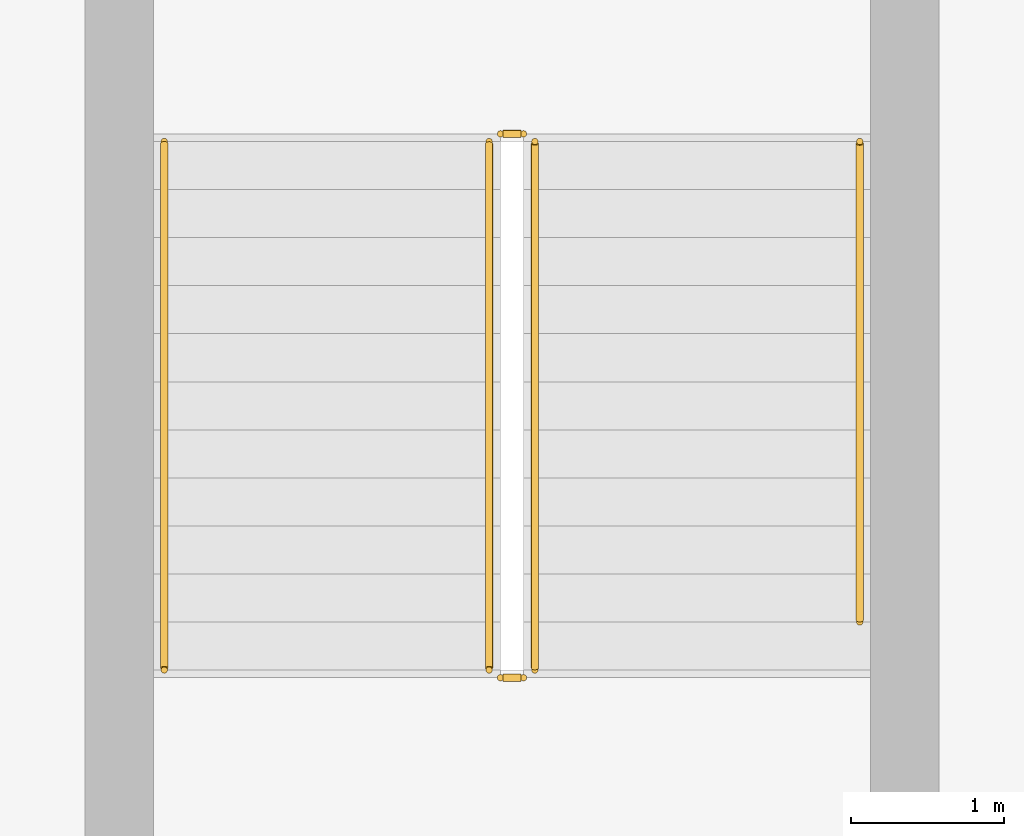
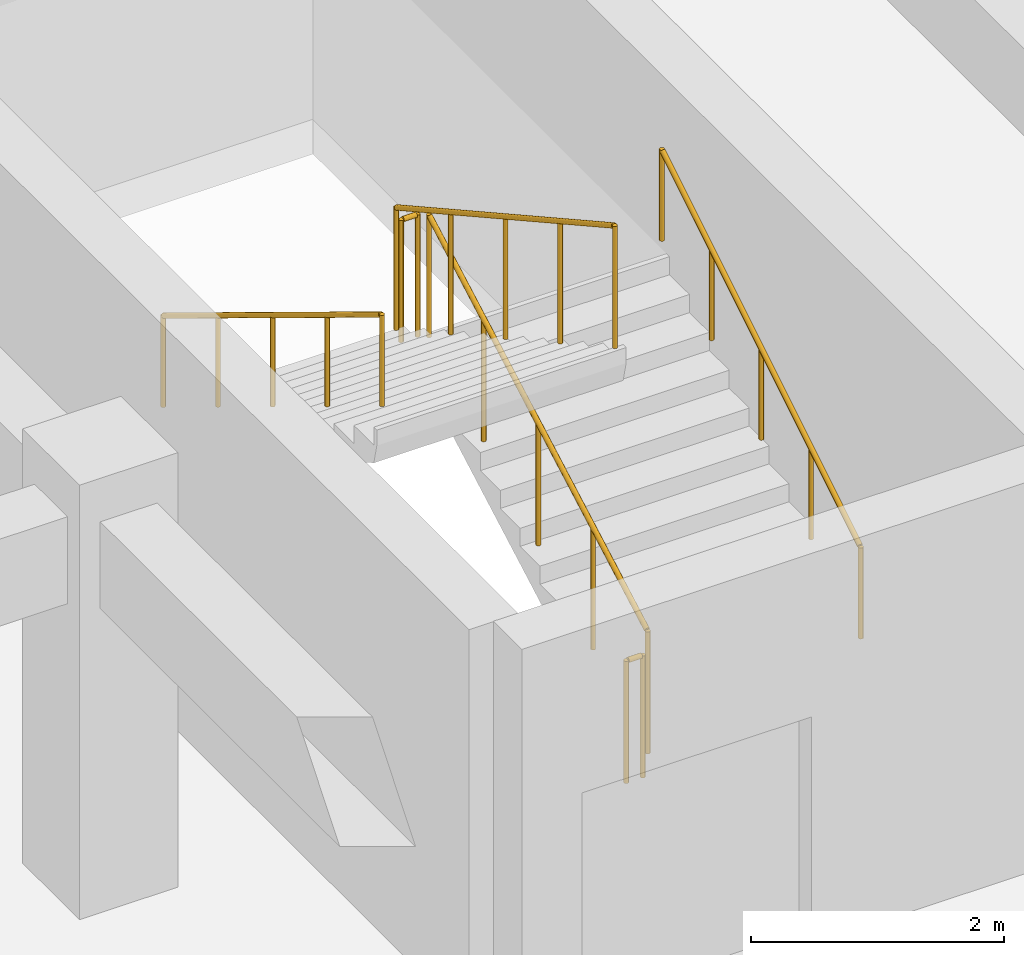
# One storey, part 31 of 39: 6 railings.
"""IFC4 building model written with IfcOpenShell, lengths in metres."""

from ifc_helpers import new_model, si_unit, direction, frame, origin, origin_2d, place, context, subcontext, project, spatial, circle, extrude, material, type_object, element, save


model = new_model("IFC4")

# Units and contexts
model_context = context("Model", 3, precision=1e-05, world=origin(), true_north=direction((0.0, 1.0)))
body_context = subcontext(model_context, "Body", "Model", "MODEL_VIEW")
ifc_project = project(units=[si_unit("LENGTHUNIT", "METRE"), si_unit("AREAUNIT", "SQUARE_METRE"), si_unit("VOLUMEUNIT", "CUBIC_METRE"), si_unit("PLANEANGLEUNIT", "RADIAN"), si_unit("MASSUNIT", "GRAM", prefix="KILO")], contexts=[model_context])

# Site, building, storey
site_placement = place(None, origin())
site = spatial("IfcSite", under=ifc_project, at=site_placement, CompositionType="ELEMENT")
building_placement = place(site_placement, origin())
building = spatial("IfcBuilding", under=site, at=building_placement, Name="Nakhvara Creek Congress Hotel", CompositionType="ELEMENT")
storey_placement = place(building_placement, frame((0.0, 0.0, -4.199951171875)))
storey = spatial("IfcBuildingStorey", under=building, at=storey_placement, Name="B1", CompositionType="ELEMENT", Elevation=-4.199951171875)

# Railings
ifc_material = material(Name="Brushed stainless steel 316L", Category="steel")
railing_type_1 = type_object("IfcRailingType", Name="RL-GUARD-1200", PredefinedType="GUARDRAIL", material=ifc_material)
railing_1_placement = place(storey_placement, frame((119.675048828125, 85.47998046875, 0.175048828125)))
element("IfcRailing", 1, at=railing_1_placement, inside=storey, type_object=railing_type_1, Name="B1 ST09 stair guard 1", PredefinedType="GUARDRAIL", context=body_context, shape_type="SweptSolid", body=[
    extrude(circle(Radius=0.02392578125, at=origin_2d()), frame((0.0, 0.012939453125, 1.18310546875), z_axis=(0.0, 0.874183422646, 0.48559586445), x_axis=(-1.0, 0.0, 0.0)), (0.0, 0.0, 1.0), 3.934326171875),
    extrude(circle(Radius=0.02099609375, at=origin_2d()), origin(), (0.0, 0.0, 1.0), 1.1806640625),
    extrude(circle(Radius=0.02099609375, at=origin_2d()), frame((0.0, 0.8662109375, 0.481201171875)), (0.0, 0.0, 1.0), 1.1806640625),
    extrude(circle(Radius=0.02099609375, at=origin_2d()), frame((0.0, 1.732421875, 0.96240234375)), (0.0, 0.0, 1.0), 1.1806640625),
    extrude(circle(Radius=0.02099609375, at=origin_2d()), frame((0.0, 2.598876953125, 1.443603515625)), (0.0, 0.0, 1.0), 1.1806640625),
    extrude(circle(Radius=0.02099609375, at=origin_2d()), frame((0.0, 3.465087890625, 1.9248046875)), (0.0, 0.0, 1.0), 1.1806640625),
])
railing_2_placement = place(storey_placement, frame((119.60009765625, 88.9951171875, 2.099853515625)))
element("IfcRailing", 2, at=railing_2_placement, inside=storey, type_object=railing_type_1, Name="B1 ST09 stair guard 2", PredefinedType="GUARDRAIL", context=body_context, shape_type="SweptSolid", body=[
    extrude(circle(Radius=0.02392578125, at=origin_2d()), frame((-0.0146484375, 0.0, 1.17578125), z_axis=(-1.0, 0.0, 0.0), x_axis=(0.0, -1.0, 0.0)), (0.0, 0.0, 1.0), 0.120849609375),
    extrude(circle(Radius=0.02099609375, at=origin_2d()), origin(), (0.0, 0.0, 1.0), 1.1806640625),
    extrude(circle(Radius=0.02099609375, at=origin_2d()), frame((-0.150146484375, 0.0, 0.0)), (0.0, 0.0, 1.0), 1.1806640625),
])
railing_3_placement = place(storey_placement, frame((119.375, 88.945068359375, 2.27490234375)))
element("IfcRailing", 3, at=railing_3_placement, inside=storey, type_object=railing_type_1, Name="B1 ST09 stair guard 3", PredefinedType="GUARDRAIL", context=body_context, shape_type="SweptSolid", body=[
    extrude(circle(Radius=0.02392578125, at=origin_2d()), frame((0.0, -0.012939453125, 1.18310546875), z_axis=(0.0, -0.874157276122, 0.485642931179), x_axis=(1.0, 0.0, 0.0)), (0.0, 0.0, 1.0), 3.9345703125),
    extrude(circle(Radius=0.02099609375, at=origin_2d()), origin(), (0.0, 0.0, 1.0), 1.1806640625),
    extrude(circle(Radius=0.02099609375, at=origin_2d()), frame((0.0, -0.8662109375, 0.481201171875)), (0.0, 0.0, 1.0), 1.1806640625),
    extrude(circle(Radius=0.02099609375, at=origin_2d()), frame((0.0, -1.732421875, 0.96240234375)), (0.0, 0.0, 1.0), 1.1806640625),
    extrude(circle(Radius=0.02099609375, at=origin_2d()), frame((0.0, -2.598876953125, 1.44384765625)), (0.0, 0.0, 1.0), 1.1806640625),
    extrude(circle(Radius=0.02099609375, at=origin_2d()), frame((0.0, -3.465087890625, 1.925048828125)), (0.0, 0.0, 1.0), 1.1806640625),
])
railing_4_placement = place(storey_placement, frame((119.60009765625, 85.429931640625, 0.0)))
element("IfcRailing", 4, at=railing_4_placement, inside=storey, type_object=railing_type_1, Name="B1 ST09 stair guard 4", PredefinedType="GUARDRAIL", context=body_context, shape_type="SweptSolid", body=[
    extrude(circle(Radius=0.02392578125, at=origin_2d()), frame((-0.0146484375, 0.0, 1.17578125), z_axis=(-1.0, 0.0, 0.0), x_axis=(0.0, -1.0, 0.0)), (0.0, 0.0, 1.0), 0.120849609375),
    extrude(circle(Radius=0.02099609375, at=origin_2d()), origin(), (0.0, 0.0, 1.0), 1.1806640625),
    extrude(circle(Radius=0.02099609375, at=origin_2d()), frame((-0.150146484375, 0.0, 0.0)), (0.0, 0.0, 1.0), 1.1806640625),
])
railing_type_2 = type_object("IfcRailingType", Name="RL-HAND-900", PredefinedType="HANDRAIL", material=ifc_material)
railing_5_placement = place(storey_placement, frame((121.804931640625, 85.794921875, 0.349853515625)))
element("IfcRailing", 5, at=railing_5_placement, inside=storey, type_object=railing_type_2, Name="B1 ST09 stair handrail 1", PredefinedType="HANDRAIL", context=body_context, shape_type="SweptSolid", body=[
    extrude(circle(Radius=0.02392578125, at=origin_2d()), frame((0.0, 0.012451171875, 0.883544921875), z_axis=(0.0, 0.851961960065, 0.523603684672), x_axis=(-1.0, 0.0, 0.0)), (0.0, 0.0, 1.0), 3.668212890625),
    extrude(circle(Radius=0.02099609375, at=origin_2d()), origin(), (0.0, 0.0, 1.0), 0.880615234375),
    extrude(circle(Radius=0.02099609375, at=origin_2d()), frame((0.0, 0.78759765625, 0.48388671875)), (0.0, 0.0, 1.0), 0.880615234375),
    extrude(circle(Radius=0.02099609375, at=origin_2d()), frame((0.0, 1.5751953125, 0.968017578125)), (0.0, 0.0, 1.0), 0.880615234375),
    extrude(circle(Radius=0.02099609375, at=origin_2d()), frame((0.0, 2.362548828125, 1.4521484375)), (0.0, 0.0, 1.0), 0.880615234375),
    extrude(circle(Radius=0.02099609375, at=origin_2d()), frame((0.0, 3.150146484375, 1.93603515625)), (0.0, 0.0, 1.0), 0.880615234375),
])
railing_6_placement = place(storey_placement, frame((117.2451171875, 88.945068359375, 2.27490234375)))
element("IfcRailing", 6, at=railing_6_placement, inside=storey, type_object=railing_type_2, Name="B1 ST09 stair handrail 2", PredefinedType="HANDRAIL", context=body_context, shape_type="SweptSolid", body=[
    extrude(circle(Radius=0.02392578125, at=origin_2d()), frame((0.0, -0.012451171875, 0.883544921875), z_axis=(0.0, -0.853990507121, 0.520288586985), x_axis=(1.0, 0.0, 0.0)), (0.0, 0.0, 1.0), 4.028076171875),
    extrude(circle(Radius=0.02099609375, at=origin_2d()), origin(), (0.0, 0.0, 1.0), 0.880615234375),
    extrude(circle(Radius=0.02099609375, at=origin_2d()), frame((0.0, -0.8662109375, 0.52783203125)), (0.0, 0.0, 1.0), 0.880615234375),
    extrude(circle(Radius=0.02099609375, at=origin_2d()), frame((0.0, -1.732421875, 1.0556640625)), (0.0, 0.0, 1.0), 0.880615234375),
    extrude(circle(Radius=0.02099609375, at=origin_2d()), frame((0.0, -2.598876953125, 1.583251953125)), (0.0, 0.0, 1.0), 0.880615234375),
    extrude(circle(Radius=0.02099609375, at=origin_2d()), frame((0.0, -3.465087890625, 2.111083984375)), (0.0, 0.0, 1.0), 0.880615234375),
])

save(model, "model.ifc")
